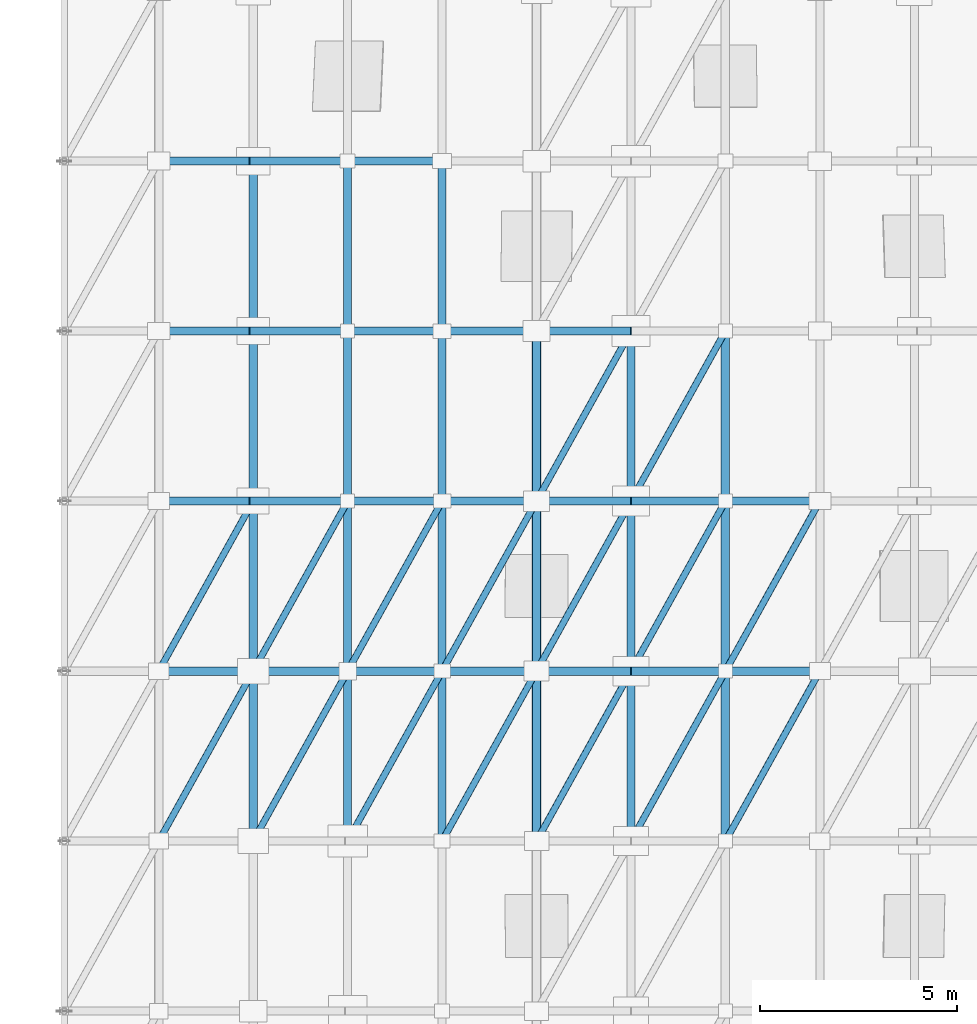
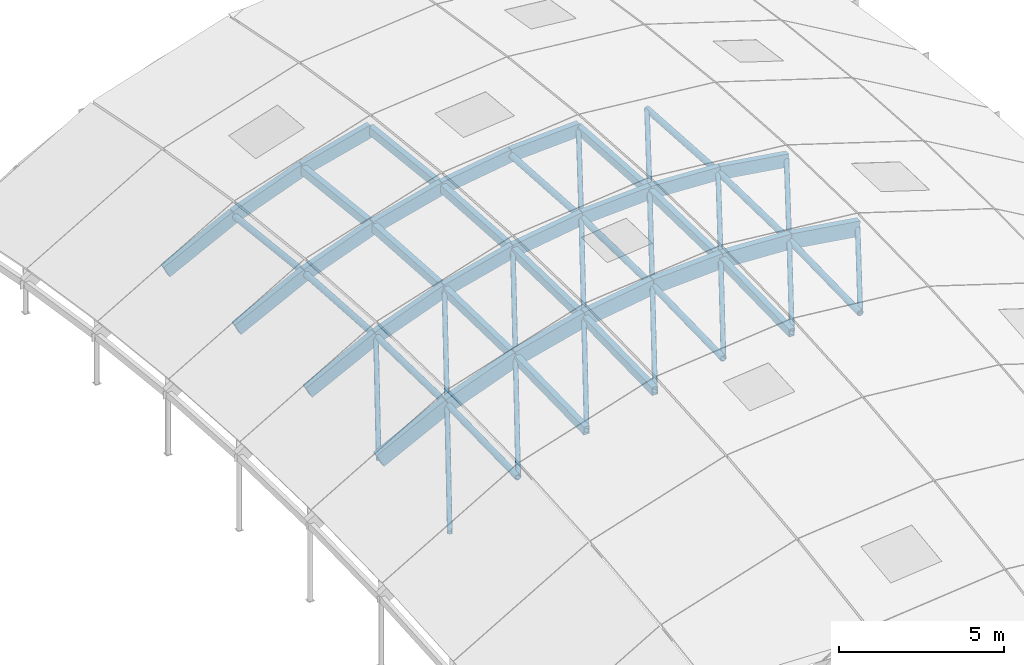
# One storey, part 14 of 35: 59 members.
"""IFC4 building model written with IfcOpenShell, lengths in metres."""

from ifc_helpers import new_model, si_unit, direction, frame, origin, origin_2d, place, context, subcontext, project, spatial, rectangle, hollow_rectangle, hollow_circle, extrude, material, material_profile, profile_set, type_object, element, save


model = new_model("IFC4")

# Units and contexts
model_context = context("Model", 3, precision=1e-05, world=origin(), true_north=direction((0.0, 1.0)))
body_context = subcontext(model_context, "Body", "Model", "MODEL_VIEW")
ifc_project = project(units=[si_unit("LENGTHUNIT", "METRE"), si_unit("AREAUNIT", "SQUARE_METRE"), si_unit("VOLUMEUNIT", "CUBIC_METRE"), si_unit("PLANEANGLEUNIT", "RADIAN"), si_unit("MASSUNIT", "GRAM", prefix="KILO")], contexts=[model_context])

# Site, building, storey
site_placement = place(None, origin())
site = spatial("IfcSite", under=ifc_project, at=site_placement, CompositionType="ELEMENT")
building_placement = place(site_placement, origin())
building = spatial("IfcBuilding", under=site, at=building_placement, Name="Zarrinpeak Specialist Clinic", CompositionType="ELEMENT")
storey_placement = place(building_placement, frame((0.0, 0.0, 31.60009765625)))
storey = spatial("IfcBuildingStorey", under=building, at=storey_placement, Name="RF", CompositionType="ELEMENT", Elevation=31.60009765625)

# Members
ifc_material_1 = material(Name="Steel S355", Category="steel")
ifc_material_profile_1 = material_profile(ifc_material_1, hollow_circle(Radius=0.084228515625, WallThickness=0.008056640625, at=origin_2d()), Name="CHS 168.3x8.0")
ifc_profile_set_1 = profile_set([ifc_material_profile_1], Name="Steel S355")
member_type_1 = type_object("IfcMemberType", Name="MB-BR168", PredefinedType="BRACE", material=ifc_profile_set_1)
member_1_placement = place(storey_placement, frame((96.0, 46.080078125, -13.71142578125), z_axis=(0.469484844828, 0.84507272069, 0.255804763876), x_axis=(-0.874157276122, 0.485642931179, 0.0)))
element("IfcMember", 1, at=member_1_placement, inside=storey, type_object=member_type_1, Name="V3 Gridshell Diagonal Brace GS-DIAG-012", PredefinedType="BRACE", context=body_context, shape_type="SweptSolid", body=[
    extrude(hollow_circle(Radius=0.084228515625, WallThickness=0.008056640625, at=origin_2d()), origin(), (0.0, 0.0, 1.0), 5.11181640625),
])
member_2_placement = place(storey_placement, frame((96.0, 50.39990234375, -13.615478515625), z_axis=(0.473699556294, 0.852707390501, 0.220224513964), x_axis=(-0.874168927292, 0.485621958479, 0.0)))
element("IfcMember", 2, at=member_2_placement, inside=storey, type_object=member_type_1, Name="V3 Gridshell Diagonal Brace GS-DIAG-013", PredefinedType="BRACE", context=body_context, shape_type="SweptSolid", body=[
    extrude(hollow_circle(Radius=0.084228515625, WallThickness=0.008056640625, at=origin_2d()), origin(), (0.0, 0.0, 1.0), 5.06640625),
])
member_3_placement = place(storey_placement, frame((98.39990234375, 46.080078125, -12.499755859375), z_axis=(0.476141756899, 0.85696798358, 0.197217906021), x_axis=(-0.874136302344, 0.485680682058, 0.0)))
element("IfcMember", 3, at=member_3_placement, inside=storey, type_object=member_type_1, Name="V3 Gridshell Diagonal Brace GS-DIAG-016", PredefinedType="BRACE", context=body_context, shape_type="SweptSolid", body=[
    extrude(hollow_circle(Radius=0.084228515625, WallThickness=0.008056640625, at=origin_2d()), origin(), (0.0, 0.0, 1.0), 5.040771484375),
])
member_4_placement = place(storey_placement, frame((98.39990234375, 50.39990234375, -12.40380859375), z_axis=(0.479384550072, 0.862853180096, 0.160233712902), x_axis=(-0.874147955046, 0.485659708735, 0.0)))
element("IfcMember", 4, at=member_4_placement, inside=storey, type_object=member_type_1, Name="V3 Gridshell Diagonal Brace GS-DIAG-017", PredefinedType="BRACE", context=body_context, shape_type="SweptSolid", body=[
    extrude(hollow_circle(Radius=0.084228515625, WallThickness=0.008056640625, at=origin_2d()), origin(), (0.0, 0.0, 1.0), 5.0068359375),
])
member_5_placement = place(storey_placement, frame((100.800048828125, 46.080078125, -11.6015625), z_axis=(0.480616646018, 0.865109962832, 0.143500494004), x_axis=(-0.874157276122, 0.485642931179, 0.0)))
element("IfcMember", 5, at=member_5_placement, inside=storey, type_object=member_type_1, Name="V3 Gridshell Diagonal Brace GS-DIAG-020", PredefinedType="BRACE", context=body_context, shape_type="SweptSolid", body=[
    extrude(hollow_circle(Radius=0.084228515625, WallThickness=0.008056640625, at=origin_2d()), origin(), (0.0, 0.0, 1.0), 4.993408203125),
])
member_6_placement = place(storey_placement, frame((100.800048828125, 50.39990234375, -11.505615234375), z_axis=(0.482908155103, 0.869283805142, 0.105571681111), x_axis=(-0.874168927292, 0.485621958479, 0.0)))
element("IfcMember", 6, at=member_6_placement, inside=storey, type_object=member_type_1, Name="V3 Gridshell Diagonal Brace GS-DIAG-021", PredefinedType="BRACE", context=body_context, shape_type="SweptSolid", body=[
    extrude(hollow_circle(Radius=0.084228515625, WallThickness=0.008056640625, at=origin_2d()), origin(), (0.0, 0.0, 1.0), 4.9697265625),
])
member_7_placement = place(storey_placement, frame((103.199951171875, 46.080078125, -10.98095703125), z_axis=(0.483586116512, 0.870366467863, 0.092772191612), x_axis=(-0.874136302344, 0.485680682058, 0.0)))
element("IfcMember", 7, at=member_7_placement, inside=storey, type_object=member_type_1, Name="V3 Gridshell Diagonal Brace GS-DIAG-024", PredefinedType="BRACE", context=body_context, shape_type="SweptSolid", body=[
    extrude(hollow_circle(Radius=0.084228515625, WallThickness=0.008056640625, at=origin_2d()), origin(), (0.0, 0.0, 1.0), 4.963134765625),
])
member_8_placement = place(storey_placement, frame((103.199951171875, 50.39990234375, -10.885009765625), z_axis=(0.48494423174, 0.872860154679, 0.054260874267), x_axis=(-0.874147955046, 0.485659708735, 0.0)))
element("IfcMember", 8, at=member_8_placement, inside=storey, type_object=member_type_1, Name="V3 Gridshell Diagonal Brace GS-DIAG-025", PredefinedType="BRACE", context=body_context, shape_type="SweptSolid", body=[
    extrude(hollow_circle(Radius=0.084228515625, WallThickness=0.008056640625, at=origin_2d()), origin(), (0.0, 0.0, 1.0), 4.94921875),
])
member_9_placement = place(storey_placement, frame((105.60009765625, 46.080078125, -10.616455078125), z_axis=(0.485178353762, 0.873321036771, 0.043730215812), x_axis=(-0.874157276122, 0.485642931179, 0.0)))
element("IfcMember", 9, at=member_9_placement, inside=storey, type_object=member_type_1, Name="V3 Gridshell Diagonal Brace GS-DIAG-031", PredefinedType="BRACE", context=body_context, shape_type="SweptSolid", body=[
    extrude(hollow_circle(Radius=0.084228515625, WallThickness=0.008056640625, at=origin_2d()), origin(), (0.0, 0.0, 1.0), 4.946533203125),
])
member_10_placement = place(storey_placement, frame((105.60009765625, 50.39990234375, -10.5205078125), z_axis=(0.485616032638, 0.874158260176, 0.004940142753), x_axis=(-0.874168927292, 0.485621958479, 0.0)))
element("IfcMember", 10, at=member_10_placement, inside=storey, type_object=member_type_1, Name="V3 Gridshell Diagonal Brace GS-DIAG-032", PredefinedType="BRACE", context=body_context, shape_type="SweptSolid", body=[
    extrude(hollow_circle(Radius=0.084228515625, WallThickness=0.008056640625, at=origin_2d()), origin(), (0.0, 0.0, 1.0), 4.94189453125),
])
member_11_placement = place(storey_placement, frame((105.60009765625, 54.719970703125, -10.616455078125), z_axis=(0.485342513442, 0.873665897797, -0.033919664978), x_axis=(-0.874168927292, 0.485621958479, 0.0)))
element("IfcMember", 11, at=member_11_placement, inside=storey, type_object=member_type_1, Name="V3 Gridshell Diagonal Brace GS-DIAG-033", PredefinedType="BRACE", context=body_context, shape_type="SweptSolid", body=[
    extrude(hollow_circle(Radius=0.084228515625, WallThickness=0.008056640625, at=origin_2d()), origin(), (0.0, 0.0, 1.0), 4.94482421875),
])
member_12_placement = place(storey_placement, frame((108.0, 46.080078125, -10.49609375), z_axis=(0.48563700457, 0.874146608226, -0.004940356099), x_axis=(-0.874157276122, 0.485642931179, 0.0)))
element("IfcMember", 12, at=member_12_placement, inside=storey, type_object=member_type_1, Name="V3 Gridshell Diagonal Brace GS-DIAG-041", PredefinedType="BRACE", context=body_context, shape_type="SweptSolid", body=[
    extrude(hollow_circle(Radius=0.084228515625, WallThickness=0.008056640625, at=origin_2d()), origin(), (0.0, 0.0, 1.0), 4.941650390625),
])
member_13_placement = place(storey_placement, frame((108.0, 50.39990234375, -10.400146484375), z_axis=(0.48515744119, 0.873332748918, -0.043728330915), x_axis=(-0.874168927292, 0.485621958479, 0.0)))
element("IfcMember", 13, at=member_13_placement, inside=storey, type_object=member_type_1, Name="V3 Gridshell Diagonal Brace GS-DIAG-042", PredefinedType="BRACE", context=body_context, shape_type="SweptSolid", body=[
    extrude(hollow_circle(Radius=0.084228515625, WallThickness=0.008056640625, at=origin_2d()), origin(), (0.0, 0.0, 1.0), 4.946533203125),
])
member_14_placement = place(storey_placement, frame((108.0, 54.719970703125, -10.49609375), z_axis=(0.483973738945, 0.871201964459, -0.082319846543), x_axis=(-0.874168927292, 0.485621958479, 0.0)))
element("IfcMember", 14, at=member_14_placement, inside=storey, type_object=member_type_1, Name="V3 Gridshell Diagonal Brace GS-DIAG-043", PredefinedType="BRACE", context=body_context, shape_type="SweptSolid", body=[
    extrude(hollow_circle(Radius=0.084228515625, WallThickness=0.008056640625, at=origin_2d()), origin(), (0.0, 0.0, 1.0), 4.958740234375),
])
member_15_placement = place(storey_placement, frame((110.39990234375, 46.080078125, -10.616455078125), z_axis=(0.484965112502, 0.87284840816, -0.054263210635), x_axis=(-0.874136302344, 0.485680682058, 0.0)))
element("IfcMember", 15, at=member_15_placement, inside=storey, type_object=member_type_1, Name="V3 Gridshell Diagonal Brace GS-DIAG-048", PredefinedType="BRACE", context=body_context, shape_type="SweptSolid", body=[
    extrude(hollow_circle(Radius=0.084228515625, WallThickness=0.008056640625, at=origin_2d()), origin(), (0.0, 0.0, 1.0), 4.94921875),
])
member_16_placement = place(storey_placement, frame((110.39990234375, 50.39990234375, -10.5205078125), z_axis=(0.483565413359, 0.870378393794, -0.092768219875), x_axis=(-0.874147955046, 0.485659708735, 0.0)))
element("IfcMember", 16, at=member_16_placement, inside=storey, type_object=member_type_1, Name="V3 Gridshell Diagonal Brace GS-DIAG-049", PredefinedType="BRACE", context=body_context, shape_type="SweptSolid", body=[
    extrude(hollow_circle(Radius=0.084228515625, WallThickness=0.008056640625, at=origin_2d()), origin(), (0.0, 0.0, 1.0), 4.96337890625),
])
ifc_material_profile_2 = material_profile(ifc_material_1, hollow_circle(Radius=0.109619140625, WallThickness=0.010009765625, at=origin_2d()), Name="CHS 219.1x10.0")
ifc_profile_set_2 = profile_set([ifc_material_profile_2], Name="Steel S355")
member_type_2 = type_object("IfcMemberType", Name="MB-GS-CH219", PredefinedType="USERDEFINED", material=ifc_profile_set_2)
member_17_placement = place(storey_placement, frame((98.39990234375, 46.080078125, -12.499755859375), z_axis=(0.0, 0.999753428766, 0.022205442382), x_axis=(-1.0, 0.0, 0.0)))
element("IfcMember", 17, at=member_17_placement, inside=storey, type_object=member_type_2, Name="V3 Translational Gridshell Vault Steel Chord I02-J04", ObjectType="ARCH_SEGMENT", PredefinedType="USERDEFINED", context=body_context, shape_type="SweptSolid", body=[
    extrude(hollow_circle(Radius=0.109619140625, WallThickness=0.010009765625, at=origin_2d()), origin(), (0.0, 0.0, 1.0), 4.32080078125),
])
member_18_placement = place(storey_placement, frame((98.39990234375, 50.39990234375, -12.40380859375), z_axis=(0.0, 0.999753456624, -0.022204188101), x_axis=(-1.0, 0.0, 0.0)))
element("IfcMember", 18, at=member_18_placement, inside=storey, type_object=member_type_2, Name="V3 Translational Gridshell Vault Steel Chord I02-J05", ObjectType="ARCH_SEGMENT", PredefinedType="USERDEFINED", context=body_context, shape_type="SweptSolid", body=[
    extrude(hollow_circle(Radius=0.109619140625, WallThickness=0.010009765625, at=origin_2d()), origin(), (0.0, 0.0, 1.0), 4.321044921875),
])
member_19_placement = place(storey_placement, frame((98.39990234375, 54.719970703125, -12.499755859375), z_axis=(0.0, 0.997787652204, -0.066481584739), x_axis=(-1.0, 0.0, 0.0)))
element("IfcMember", 19, at=member_19_placement, inside=storey, type_object=member_type_2, Name="V3 Translational Gridshell Vault Steel Chord I02-J06", ObjectType="ARCH_SEGMENT", PredefinedType="USERDEFINED", context=body_context, shape_type="SweptSolid", body=[
    extrude(hollow_circle(Radius=0.109619140625, WallThickness=0.010009765625, at=origin_2d()), origin(), (0.0, 0.0, 1.0), 4.32958984375),
])
member_20_placement = place(storey_placement, frame((98.39990234375, 59.0400390625, -12.78759765625), z_axis=(0.0, 0.993884419624, -0.110425361344), x_axis=(-1.0, 0.0, 0.0)))
element("IfcMember", 20, at=member_20_placement, inside=storey, type_object=member_type_2, Name="V3 Translational Gridshell Vault Steel Chord I02-J07", ObjectType="ARCH_SEGMENT", PredefinedType="USERDEFINED", context=body_context, shape_type="SweptSolid", body=[
    extrude(hollow_circle(Radius=0.109619140625, WallThickness=0.010009765625, at=origin_2d()), origin(), (0.0, 0.0, 1.0), 4.3466796875),
])
member_21_placement = place(storey_placement, frame((105.60009765625, 46.080078125, -10.616455078125), z_axis=(0.0, 0.999753428766, 0.022205442382), x_axis=(-1.0, 0.0, 0.0)))
element("IfcMember", 21, at=member_21_placement, inside=storey, type_object=member_type_2, Name="V3 Translational Gridshell Vault Steel Chord I05-J04", ObjectType="ARCH_SEGMENT", PredefinedType="USERDEFINED", context=body_context, shape_type="SweptSolid", body=[
    extrude(hollow_circle(Radius=0.109619140625, WallThickness=0.010009765625, at=origin_2d()), origin(), (0.0, 0.0, 1.0), 4.32080078125),
])
member_22_placement = place(storey_placement, frame((105.60009765625, 50.39990234375, -10.5205078125), z_axis=(0.0, 0.999753456624, -0.022204188101), x_axis=(-1.0, 0.0, 0.0)))
element("IfcMember", 22, at=member_22_placement, inside=storey, type_object=member_type_2, Name="V3 Translational Gridshell Vault Steel Chord I05-J05", ObjectType="ARCH_SEGMENT", PredefinedType="USERDEFINED", context=body_context, shape_type="SweptSolid", body=[
    extrude(hollow_circle(Radius=0.109619140625, WallThickness=0.010009765625, at=origin_2d()), origin(), (0.0, 0.0, 1.0), 4.321044921875),
])
member_23_placement = place(storey_placement, frame((105.60009765625, 54.719970703125, -10.616455078125), z_axis=(0.0, 0.997787652204, -0.066481584739), x_axis=(-1.0, 0.0, 0.0)))
element("IfcMember", 23, at=member_23_placement, inside=storey, type_object=member_type_2, Name="V3 Translational Gridshell Vault Steel Chord I05-J06", ObjectType="ARCH_SEGMENT", PredefinedType="USERDEFINED", context=body_context, shape_type="SweptSolid", body=[
    extrude(hollow_circle(Radius=0.109619140625, WallThickness=0.010009765625, at=origin_2d()), origin(), (0.0, 0.0, 1.0), 4.32958984375),
])
member_24_placement = place(storey_placement, frame((110.39990234375, 46.080078125, -10.616455078125), z_axis=(0.0, 0.999753428766, 0.022205442382), x_axis=(-1.0, 0.0, 0.0)))
element("IfcMember", 24, at=member_24_placement, inside=storey, type_object=member_type_2, Name="V3 Translational Gridshell Vault Steel Chord I07-J04", ObjectType="ARCH_SEGMENT", PredefinedType="USERDEFINED", context=body_context, shape_type="SweptSolid", body=[
    extrude(hollow_circle(Radius=0.109619140625, WallThickness=0.010009765625, at=origin_2d()), origin(), (0.0, 0.0, 1.0), 4.32080078125),
])
member_25_placement = place(storey_placement, frame((110.39990234375, 50.39990234375, -10.5205078125), z_axis=(0.0, 0.999753456624, -0.022204188101), x_axis=(-1.0, 0.0, 0.0)))
element("IfcMember", 25, at=member_25_placement, inside=storey, type_object=member_type_2, Name="V3 Translational Gridshell Vault Steel Chord I07-J05", ObjectType="ARCH_SEGMENT", PredefinedType="USERDEFINED", context=body_context, shape_type="SweptSolid", body=[
    extrude(hollow_circle(Radius=0.109619140625, WallThickness=0.010009765625, at=origin_2d()), origin(), (0.0, 0.0, 1.0), 4.321044921875),
])
member_26_placement = place(storey_placement, frame((110.39990234375, 54.719970703125, -10.616455078125), z_axis=(0.0, 0.997787652204, -0.066481584739), x_axis=(-1.0, 0.0, 0.0)))
element("IfcMember", 26, at=member_26_placement, inside=storey, type_object=member_type_2, Name="V3 Translational Gridshell Vault Steel Chord I07-J06", ObjectType="ARCH_SEGMENT", PredefinedType="USERDEFINED", context=body_context, shape_type="SweptSolid", body=[
    extrude(hollow_circle(Radius=0.109619140625, WallThickness=0.010009765625, at=origin_2d()), origin(), (0.0, 0.0, 1.0), 4.32958984375),
])
ifc_material_2 = material(Name="Glulam GL28h", Category="wood")
ifc_material_profile_3 = material_profile(ifc_material_2, rectangle(XDim=0.199951171875, YDim=0.47998046875, at=origin_2d()), Name="GL28h 200x480")
ifc_profile_set_3 = profile_set([ifc_material_profile_3], Name="Glulam GL28h")
member_type_3 = type_object("IfcMemberType", Name="MB-GS-GL480", PredefinedType="USERDEFINED", material=ifc_profile_set_3)
member_27_placement = place(storey_placement, frame((96.0, 54.719970703125, -13.71142578125), z_axis=(0.892676812819, 0.0, 0.450697357276), x_axis=(0.0, 1.0, 0.0)))
element("IfcMember", 27, at=member_27_placement, inside=storey, type_object=member_type_3, Name="V3 Translational Gridshell Vault Glulam Arch Rib J06-01", ObjectType="ARCH_SEGMENT", PredefinedType="USERDEFINED", context=body_context, shape_type="SweptSolid", body=[
    extrude(rectangle(XDim=0.199951171875, YDim=0.47998046875, at=origin_2d()), origin(), (0.0, 0.0, 1.0), 2.6884765625),
])
member_28_placement = place(storey_placement, frame((98.39990234375, 54.719970703125, -12.499755859375), z_axis=(0.936567780468, 0.0, 0.350486508427), x_axis=(0.0, 1.0, 0.0)))
element("IfcMember", 28, at=member_28_placement, inside=storey, type_object=member_type_3, Name="V3 Translational Gridshell Vault Glulam Arch Rib J06-02", ObjectType="ARCH_SEGMENT", PredefinedType="USERDEFINED", context=body_context, shape_type="SweptSolid", body=[
    extrude(rectangle(XDim=0.199951171875, YDim=0.47998046875, at=origin_2d()), origin(), (0.0, 0.0, 1.0), 2.562744140625),
])
member_29_placement = place(storey_placement, frame((100.800048828125, 54.719970703125, -11.6015625), z_axis=(0.96815267419, 0.0, 0.250360538941), x_axis=(0.0, 1.0, 0.0)))
element("IfcMember", 29, at=member_29_placement, inside=storey, type_object=member_type_3, Name="V3 Translational Gridshell Vault Glulam Arch Rib J06-03", ObjectType="ARCH_SEGMENT", PredefinedType="USERDEFINED", context=body_context, shape_type="SweptSolid", body=[
    extrude(rectangle(XDim=0.199951171875, YDim=0.47998046875, at=origin_2d()), origin(), (0.0, 0.0, 1.0), 2.478759765625),
])
member_30_placement = place(storey_placement, frame((103.199951171875, 54.719970703125, -10.98095703125), z_axis=(0.988663989346, 0.0, 0.150144983836), x_axis=(0.0, 1.0, 0.0)))
element("IfcMember", 30, at=member_30_placement, inside=storey, type_object=member_type_3, Name="V3 Translational Gridshell Vault Glulam Arch Rib J06-04", ObjectType="ARCH_SEGMENT", PredefinedType="USERDEFINED", context=body_context, shape_type="SweptSolid", body=[
    extrude(rectangle(XDim=0.199951171875, YDim=0.47998046875, at=origin_2d()), origin(), (0.0, 0.0, 1.0), 2.427734375),
])
for number, where, z_axis, x_axis, name in (
    (31, (105.60009765625, 54.719970703125, -10.616455078125), (0.998744726183, 0.0, 0.050089638861), (0.0, 1.0, 0.0), "V3 Translational Gridshell Vault Glulam Arch Rib J06-05"),
    (32, (108.0, 54.719970703125, -10.49609375), (0.998744726183, 0.0, -0.050089638861), (0.0, 1.0, 0.0), "V3 Translational Gridshell Vault Glulam Arch Rib J06-06"),
):
    element("IfcMember", number, at=place(storey_placement, frame(where, z_axis=z_axis, x_axis=x_axis)), inside=storey, type_object=member_type_3, Name=name, ObjectType="ARCH_SEGMENT", PredefinedType="USERDEFINED", context=body_context, shape_type="SweptSolid", body=[
        extrude(rectangle(XDim=0.199951171875, YDim=0.47998046875, at=origin_2d()), origin(), (0.0, 0.0, 1.0), 2.40283203125),
    ])
member_31_placement = place(storey_placement, frame((110.39990234375, 54.719970703125, -10.616455078125), z_axis=(0.988663989346, 0.0, -0.150144983836), x_axis=(0.0, 1.0, 0.0)))
element("IfcMember", 33, at=member_31_placement, inside=storey, type_object=member_type_3, Name="V3 Translational Gridshell Vault Glulam Arch Rib J06-07", ObjectType="ARCH_SEGMENT", PredefinedType="USERDEFINED", context=body_context, shape_type="SweptSolid", body=[
    extrude(rectangle(XDim=0.199951171875, YDim=0.47998046875, at=origin_2d()), origin(), (0.0, 0.0, 1.0), 2.427734375),
])
member_32_placement = place(storey_placement, frame((96.0, 59.0400390625, -13.99951171875), z_axis=(0.892640275465, 0.0, 0.450769717946), x_axis=(0.0, 1.0, 0.0)))
element("IfcMember", 34, at=member_32_placement, inside=storey, type_object=member_type_3, Name="V3 Translational Gridshell Vault Glulam Arch Rib J07-01", ObjectType="ARCH_SEGMENT", PredefinedType="USERDEFINED", context=body_context, shape_type="SweptSolid", body=[
    extrude(rectangle(XDim=0.199951171875, YDim=0.47998046875, at=origin_2d()), origin(), (0.0, 0.0, 1.0), 2.6884765625),
])
member_33_placement = place(storey_placement, frame((98.39990234375, 59.0400390625, -12.78759765625), z_axis=(0.936599049523, 0.0, 0.350402940102), x_axis=(0.0, 1.0, 0.0)))
element("IfcMember", 35, at=member_33_placement, inside=storey, type_object=member_type_3, Name="V3 Translational Gridshell Vault Glulam Arch Rib J07-02", ObjectType="ARCH_SEGMENT", PredefinedType="USERDEFINED", context=body_context, shape_type="SweptSolid", body=[
    extrude(rectangle(XDim=0.199951171875, YDim=0.47998046875, at=origin_2d()), origin(), (0.0, 0.0, 1.0), 2.5625),
])
member_34_placement = place(storey_placement, frame((100.800048828125, 59.0400390625, -11.8896484375), z_axis=(0.96815267419, 0.0, 0.250360538941), x_axis=(0.0, 1.0, 0.0)))
element("IfcMember", 36, at=member_34_placement, inside=storey, type_object=member_type_3, Name="V3 Translational Gridshell Vault Glulam Arch Rib J07-03", ObjectType="ARCH_SEGMENT", PredefinedType="USERDEFINED", context=body_context, shape_type="SweptSolid", body=[
    extrude(rectangle(XDim=0.199951171875, YDim=0.47998046875, at=origin_2d()), origin(), (0.0, 0.0, 1.0), 2.478759765625),
])
member_35_placement = place(storey_placement, frame((103.199951171875, 59.0400390625, -11.26904296875), z_axis=(0.988649056377, 0.0, 0.150243280463), x_axis=(0.0, 1.0, 0.0)))
element("IfcMember", 37, at=member_35_placement, inside=storey, type_object=member_type_3, Name="V3 Translational Gridshell Vault Glulam Arch Rib J07-04", ObjectType="ARCH_SEGMENT", PredefinedType="USERDEFINED", context=body_context, shape_type="SweptSolid", body=[
    extrude(rectangle(XDim=0.199951171875, YDim=0.47998046875, at=origin_2d()), origin(), (0.0, 0.0, 1.0), 2.427734375),
])
member_36_placement = place(storey_placement, frame((105.60009765625, 59.0400390625, -10.904296875), z_axis=(0.998749803871, 0.0, 0.049988291303), x_axis=(0.0, 1.0, 0.0)))
element("IfcMember", 38, at=member_36_placement, inside=storey, type_object=member_type_3, Name="V3 Translational Gridshell Vault Glulam Arch Rib J07-05", ObjectType="ARCH_SEGMENT", PredefinedType="USERDEFINED", context=body_context, shape_type="SweptSolid", body=[
    extrude(rectangle(XDim=0.199951171875, YDim=0.47998046875, at=origin_2d()), origin(), (0.0, 0.0, 1.0), 2.40283203125),
])
member_37_placement = place(storey_placement, frame((96.0, 63.360107421875, -14.4794921875), z_axis=(0.892640275465, 0.0, 0.450769717946), x_axis=(0.0, 1.0, 0.0)))
element("IfcMember", 39, at=member_37_placement, inside=storey, type_object=member_type_3, Name="V3 Translational Gridshell Vault Glulam Arch Rib J08-01", ObjectType="ARCH_SEGMENT", PredefinedType="USERDEFINED", context=body_context, shape_type="SweptSolid", body=[
    extrude(rectangle(XDim=0.199951171875, YDim=0.47998046875, at=origin_2d()), origin(), (0.0, 0.0, 1.0), 2.6884765625),
])
member_38_placement = place(storey_placement, frame((98.39990234375, 63.360107421875, -13.267578125), z_axis=(0.936599049523, 0.0, 0.350402940102), x_axis=(0.0, 1.0, 0.0)))
element("IfcMember", 40, at=member_38_placement, inside=storey, type_object=member_type_3, Name="V3 Translational Gridshell Vault Glulam Arch Rib J08-02", ObjectType="ARCH_SEGMENT", PredefinedType="USERDEFINED", context=body_context, shape_type="SweptSolid", body=[
    extrude(rectangle(XDim=0.199951171875, YDim=0.47998046875, at=origin_2d()), origin(), (0.0, 0.0, 1.0), 2.5625),
])
member_39_placement = place(storey_placement, frame((100.800048828125, 63.360107421875, -12.36962890625), z_axis=(0.96815267419, 0.0, 0.250360538941), x_axis=(0.0, 1.0, 0.0)))
element("IfcMember", 41, at=member_39_placement, inside=storey, type_object=member_type_3, Name="V3 Translational Gridshell Vault Glulam Arch Rib J08-03", ObjectType="ARCH_SEGMENT", PredefinedType="USERDEFINED", context=body_context, shape_type="SweptSolid", body=[
    extrude(rectangle(XDim=0.199951171875, YDim=0.47998046875, at=origin_2d()), origin(), (0.0, 0.0, 1.0), 2.478759765625),
])
ifc_material_profile_4 = material_profile(ifc_material_2, rectangle(XDim=0.219970703125, YDim=0.56005859375, at=origin_2d()), Name="GL28h 220x560")
ifc_profile_set_4 = profile_set([ifc_material_profile_4], Name="Glulam GL28h")
member_type_4 = type_object("IfcMemberType", Name="MB-GS-GL560", PredefinedType="USERDEFINED", material=ifc_profile_set_4)
member_40_placement = place(storey_placement, frame((96.0, 50.39990234375, -13.615478515625), z_axis=(0.892676812819, 0.0, 0.450697357276), x_axis=(0.0, 1.0, 0.0)))
element("IfcMember", 42, at=member_40_placement, inside=storey, type_object=member_type_4, Name="V3 Translational Gridshell Vault Glulam Arch Rib J05-01", ObjectType="ARCH_SEGMENT", PredefinedType="USERDEFINED", context=body_context, shape_type="SweptSolid", body=[
    extrude(rectangle(XDim=0.219970703125, YDim=0.56005859375, at=origin_2d()), origin(), (0.0, 0.0, 1.0), 2.6884765625),
])
member_41_placement = place(storey_placement, frame((98.39990234375, 50.39990234375, -12.40380859375), z_axis=(0.936567780468, 0.0, 0.350486508427), x_axis=(0.0, 1.0, 0.0)))
element("IfcMember", 43, at=member_41_placement, inside=storey, type_object=member_type_4, Name="V3 Translational Gridshell Vault Glulam Arch Rib J05-02", ObjectType="ARCH_SEGMENT", PredefinedType="USERDEFINED", context=body_context, shape_type="SweptSolid", body=[
    extrude(rectangle(XDim=0.219970703125, YDim=0.56005859375, at=origin_2d()), origin(), (0.0, 0.0, 1.0), 2.562744140625),
])
member_42_placement = place(storey_placement, frame((100.800048828125, 50.39990234375, -11.505615234375), z_axis=(0.96815267419, 0.0, 0.250360538941), x_axis=(0.0, 1.0, 0.0)))
element("IfcMember", 44, at=member_42_placement, inside=storey, type_object=member_type_4, Name="V3 Translational Gridshell Vault Glulam Arch Rib J05-03", ObjectType="ARCH_SEGMENT", PredefinedType="USERDEFINED", context=body_context, shape_type="SweptSolid", body=[
    extrude(rectangle(XDim=0.219970703125, YDim=0.56005859375, at=origin_2d()), origin(), (0.0, 0.0, 1.0), 2.478759765625),
])
member_43_placement = place(storey_placement, frame((103.199951171875, 50.39990234375, -10.885009765625), z_axis=(0.988663989346, 0.0, 0.150144983836), x_axis=(0.0, 1.0, 0.0)))
element("IfcMember", 45, at=member_43_placement, inside=storey, type_object=member_type_4, Name="V3 Translational Gridshell Vault Glulam Arch Rib J05-04", ObjectType="ARCH_SEGMENT", PredefinedType="USERDEFINED", context=body_context, shape_type="SweptSolid", body=[
    extrude(rectangle(XDim=0.219970703125, YDim=0.56005859375, at=origin_2d()), origin(), (0.0, 0.0, 1.0), 2.427734375),
])
for number, where, z_axis, x_axis, name in (
    (46, (105.60009765625, 50.39990234375, -10.5205078125), (0.998744726183, 0.0, 0.050089638861), (0.0, 1.0, 0.0), "V3 Translational Gridshell Vault Glulam Arch Rib J05-05"),
    (47, (108.0, 50.39990234375, -10.400146484375), (0.998744726183, 0.0, -0.050089638861), (0.0, 1.0, 0.0), "V3 Translational Gridshell Vault Glulam Arch Rib J05-06"),
):
    element("IfcMember", number, at=place(storey_placement, frame(where, z_axis=z_axis, x_axis=x_axis)), inside=storey, type_object=member_type_4, Name=name, ObjectType="ARCH_SEGMENT", PredefinedType="USERDEFINED", context=body_context, shape_type="SweptSolid", body=[
        extrude(rectangle(XDim=0.219970703125, YDim=0.56005859375, at=origin_2d()), origin(), (0.0, 0.0, 1.0), 2.40283203125),
    ])
member_44_placement = place(storey_placement, frame((110.39990234375, 50.39990234375, -10.5205078125), z_axis=(0.988663989346, 0.0, -0.150144983836), x_axis=(0.0, 1.0, 0.0)))
element("IfcMember", 48, at=member_44_placement, inside=storey, type_object=member_type_4, Name="V3 Translational Gridshell Vault Glulam Arch Rib J05-07", ObjectType="ARCH_SEGMENT", PredefinedType="USERDEFINED", context=body_context, shape_type="SweptSolid", body=[
    extrude(rectangle(XDim=0.219970703125, YDim=0.56005859375, at=origin_2d()), origin(), (0.0, 0.0, 1.0), 2.427734375),
])
ifc_material_profile_5 = material_profile(ifc_material_1, hollow_rectangle(XDim=0.199951171875, YDim=0.300048828125, WallThickness=0.012451171875, at=origin_2d()), Name="RHS 300x200x12.5")
ifc_profile_set_5 = profile_set([ifc_material_profile_5], Name="Steel S355")
member_type_5 = type_object("IfcMemberType", Name="MB-GS-RH300", PredefinedType="USERDEFINED", material=ifc_profile_set_5)
member_45_placement = place(storey_placement, frame((100.800048828125, 46.080078125, -11.6015625), z_axis=(0.0, 0.999753428766, 0.022205442382), x_axis=(-1.0, 0.0, 0.0)))
element("IfcMember", 49, at=member_45_placement, inside=storey, type_object=member_type_5, Name="V3 Translational Gridshell Vault Steel Chord I03-J04", ObjectType="ARCH_SEGMENT", PredefinedType="USERDEFINED", context=body_context, shape_type="SweptSolid", body=[
    extrude(hollow_rectangle(XDim=0.199951171875, YDim=0.300048828125, WallThickness=0.012451171875, at=origin_2d()), origin(), (0.0, 0.0, 1.0), 4.32080078125),
])
member_46_placement = place(storey_placement, frame((100.800048828125, 50.39990234375, -11.505615234375), z_axis=(0.0, 0.999753456624, -0.022204188101), x_axis=(-1.0, 0.0, 0.0)))
element("IfcMember", 50, at=member_46_placement, inside=storey, type_object=member_type_5, Name="V3 Translational Gridshell Vault Steel Chord I03-J05", ObjectType="ARCH_SEGMENT", PredefinedType="USERDEFINED", context=body_context, shape_type="SweptSolid", body=[
    extrude(hollow_rectangle(XDim=0.199951171875, YDim=0.300048828125, WallThickness=0.012451171875, at=origin_2d()), origin(), (0.0, 0.0, 1.0), 4.321044921875),
])
member_47_placement = place(storey_placement, frame((100.800048828125, 54.719970703125, -11.6015625), z_axis=(0.0, 0.997783910161, -0.066537723311), x_axis=(-1.0, 0.0, 0.0)))
element("IfcMember", 51, at=member_47_placement, inside=storey, type_object=member_type_5, Name="V3 Translational Gridshell Vault Steel Chord I03-J06", ObjectType="ARCH_SEGMENT", PredefinedType="USERDEFINED", context=body_context, shape_type="SweptSolid", body=[
    extrude(hollow_rectangle(XDim=0.199951171875, YDim=0.300048828125, WallThickness=0.012451171875, at=origin_2d()), origin(), (0.0, 0.0, 1.0), 4.32958984375),
])
member_48_placement = place(storey_placement, frame((100.800048828125, 59.0400390625, -11.8896484375), z_axis=(0.0, 0.993884419624, -0.110425361344), x_axis=(-1.0, 0.0, 0.0)))
element("IfcMember", 52, at=member_48_placement, inside=storey, type_object=member_type_5, Name="V3 Translational Gridshell Vault Steel Chord I03-J07", ObjectType="ARCH_SEGMENT", PredefinedType="USERDEFINED", context=body_context, shape_type="SweptSolid", body=[
    extrude(hollow_rectangle(XDim=0.199951171875, YDim=0.300048828125, WallThickness=0.012451171875, at=origin_2d()), origin(), (0.0, 0.0, 1.0), 4.3466796875),
])
member_49_placement = place(storey_placement, frame((103.199951171875, 46.080078125, -10.98095703125), z_axis=(0.0, 0.999753428766, 0.022205442382), x_axis=(-1.0, 0.0, 0.0)))
element("IfcMember", 53, at=member_49_placement, inside=storey, type_object=member_type_5, Name="V3 Translational Gridshell Vault Steel Chord I04-J04", ObjectType="ARCH_SEGMENT", PredefinedType="USERDEFINED", context=body_context, shape_type="SweptSolid", body=[
    extrude(hollow_rectangle(XDim=0.199951171875, YDim=0.300048828125, WallThickness=0.012451171875, at=origin_2d()), origin(), (0.0, 0.0, 1.0), 4.32080078125),
])
member_50_placement = place(storey_placement, frame((103.199951171875, 50.39990234375, -10.885009765625), z_axis=(0.0, 0.999753456624, -0.022204188101), x_axis=(-1.0, 0.0, 0.0)))
element("IfcMember", 54, at=member_50_placement, inside=storey, type_object=member_type_5, Name="V3 Translational Gridshell Vault Steel Chord I04-J05", ObjectType="ARCH_SEGMENT", PredefinedType="USERDEFINED", context=body_context, shape_type="SweptSolid", body=[
    extrude(hollow_rectangle(XDim=0.199951171875, YDim=0.300048828125, WallThickness=0.012451171875, at=origin_2d()), origin(), (0.0, 0.0, 1.0), 4.321044921875),
])
member_51_placement = place(storey_placement, frame((103.199951171875, 54.719970703125, -10.98095703125), z_axis=(0.0, 0.997783910161, -0.066537723311), x_axis=(-1.0, 0.0, 0.0)))
element("IfcMember", 55, at=member_51_placement, inside=storey, type_object=member_type_5, Name="V3 Translational Gridshell Vault Steel Chord I04-J06", ObjectType="ARCH_SEGMENT", PredefinedType="USERDEFINED", context=body_context, shape_type="SweptSolid", body=[
    extrude(hollow_rectangle(XDim=0.199951171875, YDim=0.300048828125, WallThickness=0.012451171875, at=origin_2d()), origin(), (0.0, 0.0, 1.0), 4.32958984375),
])
member_52_placement = place(storey_placement, frame((103.199951171875, 59.0400390625, -11.26904296875), z_axis=(0.0, 0.993884419624, -0.110425361344), x_axis=(-1.0, 0.0, 0.0)))
element("IfcMember", 56, at=member_52_placement, inside=storey, type_object=member_type_5, Name="V3 Translational Gridshell Vault Steel Chord I04-J07", ObjectType="ARCH_SEGMENT", PredefinedType="USERDEFINED", context=body_context, shape_type="SweptSolid", body=[
    extrude(hollow_rectangle(XDim=0.199951171875, YDim=0.300048828125, WallThickness=0.012451171875, at=origin_2d()), origin(), (0.0, 0.0, 1.0), 4.3466796875),
])
member_53_placement = place(storey_placement, frame((108.0, 46.080078125, -10.49609375), z_axis=(0.0, 0.999753428766, 0.022205442382), x_axis=(-1.0, 0.0, 0.0)))
element("IfcMember", 57, at=member_53_placement, inside=storey, type_object=member_type_5, Name="V3 Translational Gridshell Vault Steel Chord I06-J04", ObjectType="ARCH_SEGMENT", PredefinedType="USERDEFINED", context=body_context, shape_type="SweptSolid", body=[
    extrude(hollow_rectangle(XDim=0.199951171875, YDim=0.300048828125, WallThickness=0.012451171875, at=origin_2d()), origin(), (0.0, 0.0, 1.0), 4.32080078125),
])
member_54_placement = place(storey_placement, frame((108.0, 50.39990234375, -10.400146484375), z_axis=(0.0, 0.999753456624, -0.022204188101), x_axis=(-1.0, 0.0, 0.0)))
element("IfcMember", 58, at=member_54_placement, inside=storey, type_object=member_type_5, Name="V3 Translational Gridshell Vault Steel Chord I06-J05", ObjectType="ARCH_SEGMENT", PredefinedType="USERDEFINED", context=body_context, shape_type="SweptSolid", body=[
    extrude(hollow_rectangle(XDim=0.199951171875, YDim=0.300048828125, WallThickness=0.012451171875, at=origin_2d()), origin(), (0.0, 0.0, 1.0), 4.321044921875),
])
member_55_placement = place(storey_placement, frame((108.0, 54.719970703125, -10.49609375), z_axis=(0.0, 0.997783910161, -0.066537723311), x_axis=(-1.0, 0.0, 0.0)))
element("IfcMember", 59, at=member_55_placement, inside=storey, type_object=member_type_5, Name="V3 Translational Gridshell Vault Steel Chord I06-J06", ObjectType="ARCH_SEGMENT", PredefinedType="USERDEFINED", context=body_context, shape_type="SweptSolid", body=[
    extrude(hollow_rectangle(XDim=0.199951171875, YDim=0.300048828125, WallThickness=0.012451171875, at=origin_2d()), origin(), (0.0, 0.0, 1.0), 4.32958984375),
])

save(model, "model.ifc")
